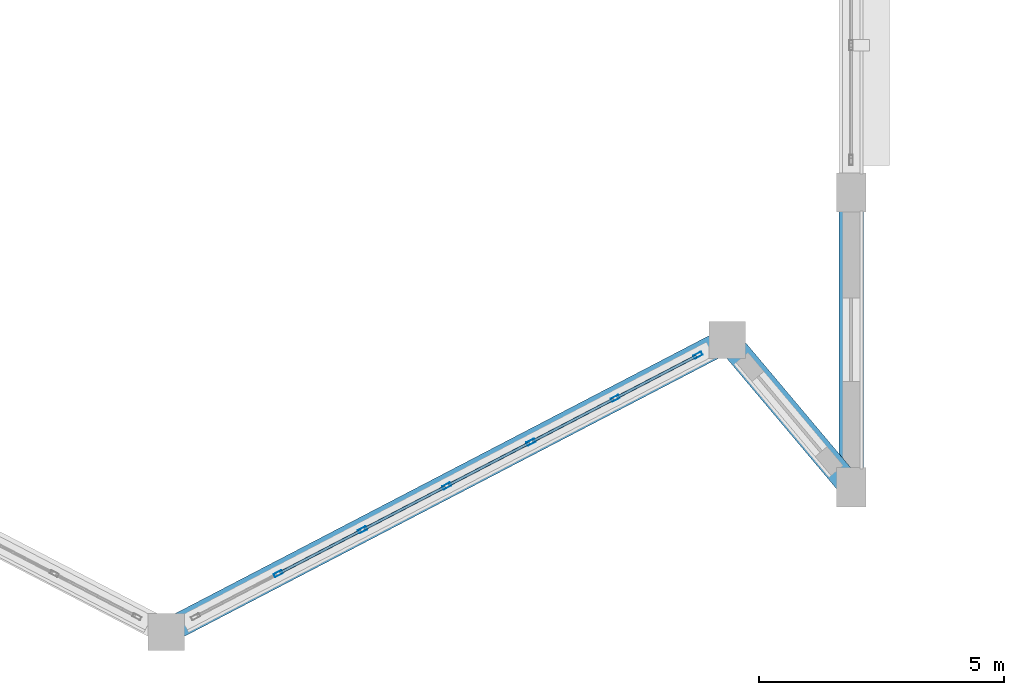
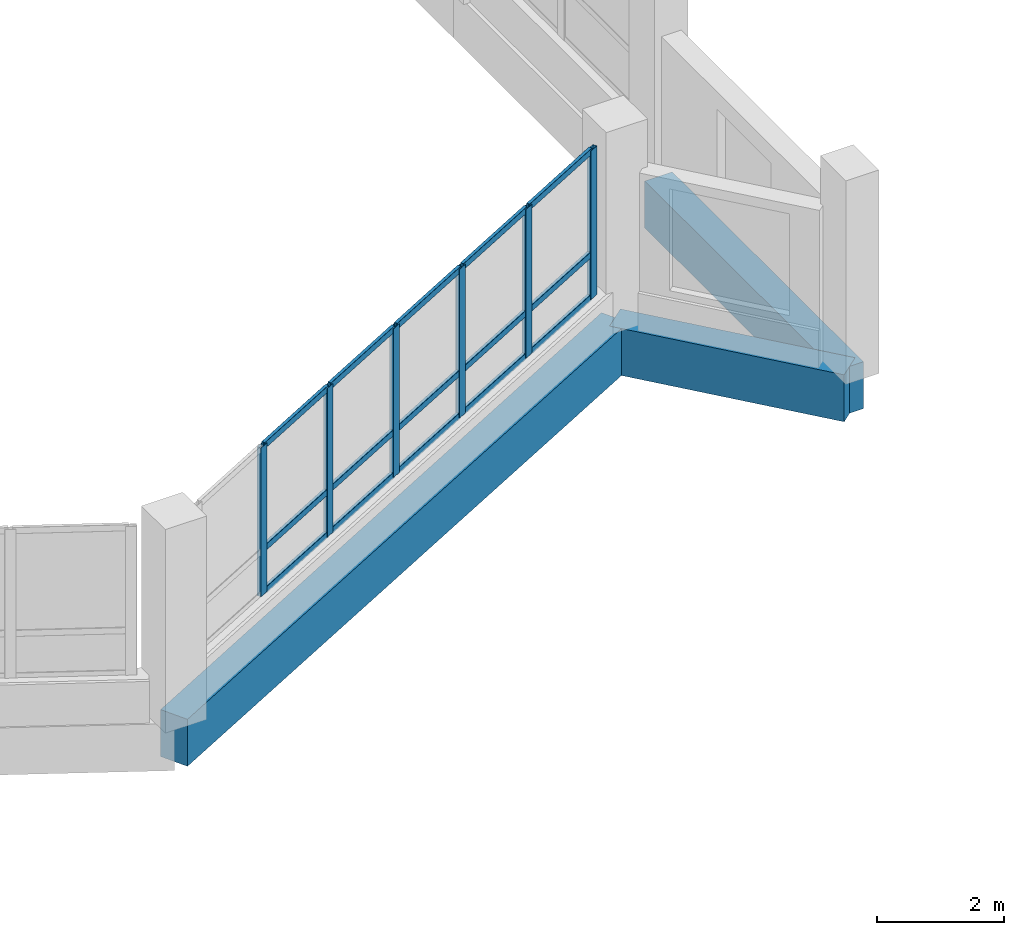
# One storey, part 6 of 121: 21 members, 3 beams, 1 element without a shape of its own.
"""IFC4 building model written with IfcOpenShell, lengths in metres."""

from ifc_helpers import new_model, si_unit, direction, frame, origin, origin_2d, place, context, subcontext, project, spatial, rectangle, hollow_rectangle, extrude, material, layer, layer_set, material_profile, profile_set, type_object, element, aggregate, save


model = new_model("IFC4")

# Units and contexts
model_context = context("Model", 3, precision=1e-05, world=origin(), true_north=direction((0.0, 1.0)))
body_context = subcontext(model_context, "Body", "Model", "MODEL_VIEW")
ifc_project = project(units=[si_unit("LENGTHUNIT", "METRE"), si_unit("AREAUNIT", "SQUARE_METRE"), si_unit("VOLUMEUNIT", "CUBIC_METRE"), si_unit("PLANEANGLEUNIT", "RADIAN"), si_unit("MASSUNIT", "GRAM", prefix="KILO")], contexts=[model_context])

# Site, building, storey
site_placement = place(None, origin())
site = spatial("IfcSite", under=ifc_project, at=site_placement, CompositionType="ELEMENT")
building_placement = place(site_placement, origin())
building = spatial("IfcBuilding", under=site, at=building_placement, Name="Vespera Passage Community Centre", CompositionType="ELEMENT")
storey_placement = place(building_placement, frame((0.0, 0.0, 8.699951171875)))
storey = spatial("IfcBuildingStorey", under=building, at=storey_placement, Name="L02", CompositionType="ELEMENT", Elevation=8.699951171875)

# Beams
ifc_material_1 = material(Name="Concrete f'c 45 MPa", Category="concrete")
ifc_material_profile_1 = material_profile(ifc_material_1, rectangle(XDim=0.5, YDim=0.89990234375, at=origin_2d()), Name="RC500X900")
ifc_profile_set_1 = profile_set([ifc_material_profile_1], Name="Concrete f'c 45 MPa")
beam_type = type_object("IfcBeamType", Name="BM-SP-500X900E", PredefinedType="SPANDREL", material=ifc_profile_set_1)
beam_1_placement = place(storey_placement, frame((31.949951171875, 7.0, -0.449951171875), z_axis=(0.0, 1.0, 0.0), x_axis=(-1.0, 0.0, 0.0)))
element("IfcBeam", 1, at=beam_1_placement, inside=storey, type_object=beam_type, Name="V1 L02 Spandrel E1", PredefinedType="SPANDREL", context=body_context, shape_type="SweptSolid", body=[
    extrude(rectangle(XDim=0.5, YDim=0.89990234375, at=origin_2d()), origin(), (0.0, 0.0, 1.0), 6.0),
])
beam_2_placement = place(storey_placement, frame((18.0, 4.050048828125, -0.449951171875), z_axis=(0.887015966554, 0.461738751978, 0.0), x_axis=(-0.461738751978, 0.887015966554, 0.0)))
element("IfcBeam", 2, at=beam_2_placement, inside=storey, type_object=beam_type, Name="V1 L02 S Apse Spandrel 3", PredefinedType="SPANDREL", context=body_context, shape_type="SweptSolid", body=[
    extrude(rectangle(XDim=0.5, YDim=0.89990234375, at=origin_2d()), origin(), (0.0, 0.0, 1.0), 12.8828125),
])
beam_3_placement = place(storey_placement, frame((29.42724609375, 9.99853515625, -0.449951171875), z_axis=(0.643780739075, -0.765210010386, 0.0), x_axis=(0.765210010386, 0.643780739075, 0.0)))
element("IfcBeam", 3, at=beam_3_placement, inside=storey, type_object=beam_type, Name="V1 L02 S Apse Spandrel 4", PredefinedType="SPANDREL", context=body_context, shape_type="SweptSolid", body=[
    extrude(rectangle(XDim=0.5, YDim=0.89990234375, at=origin_2d()), origin(), (0.0, 0.0, 1.0), 3.91845703125),
])

# Curtain wall, members
ifc_material_2 = material(Name="Anodized aluminium 6063-T6", Category="aluminium")
ifc_layer = layer(ifc_material_2, 0.159912109375)
ifc_layer_set = layer_set([ifc_layer], Name="Anodized aluminium 6063-T6")
curtain_wall_type = type_object("IfcCurtainWallType", Name="CW-87E", PredefinedType="NOTDEFINED", material=ifc_layer_set)
curtain_wall_placement = place(storey_placement, origin())
curtain_wall = element("IfcCurtainWall", 4, at=curtain_wall_placement, inside=storey, type_object=curtain_wall_type, Name="V1 L02 S Apse Ribbon Curtain Wall 2", PredefinedType="NOTDEFINED")
ifc_material_3 = material(Name="Anodized aluminium 6063-T6", Category="aluminium")
ifc_material_profile_2 = material_profile(ifc_material_3, hollow_rectangle(XDim=0.074951171875, YDim=0.179931640625, WallThickness=0.0048828125, InnerFilletRadius=0.00244140625, OuterFilletRadius=0.0048828125, at=origin_2d()), Name="ALU180X75X5")
ifc_profile_set_2 = profile_set([ifc_material_profile_2], Name="Anodized aluminium 6063-T6")
member_type_1 = type_object("IfcMemberType", Name="MB-CWM-180E", PredefinedType="MULLION", material=ifc_profile_set_2)
member_1_placement = place(storey_placement, frame((28.828125, 9.686767578125, 0.800048828125), z_axis=(0.0, 0.0, 1.0), x_axis=(0.46174493668, -0.887012747062, 0.0)))
member_1 = element("IfcMember", 5, at=member_1_placement, type_object=member_type_1, Name="CW-87E mullion 1", PredefinedType="MULLION", context=body_context, shape_type="SweptSolid", body=[
    extrude(hollow_rectangle(XDim=0.074951171875, YDim=0.179931640625, WallThickness=0.0048828125, InnerFilletRadius=0.00244140625, OuterFilletRadius=0.0048828125, at=origin_2d()), origin(), (0.0, 0.0, 1.0), 2.85009765625),
])
member_2_placement = place(storey_placement, frame((27.1455078125, 8.810791015625, 0.800048828125), z_axis=(0.0, 0.0, 1.0), x_axis=(0.46174493668, -0.887012747062, 0.0)))
member_2 = element("IfcMember", 6, at=member_2_placement, type_object=member_type_1, Name="CW-87E mullion 2", PredefinedType="MULLION", context=body_context, shape_type="SweptSolid", body=[
    extrude(hollow_rectangle(XDim=0.074951171875, YDim=0.179931640625, WallThickness=0.0048828125, InnerFilletRadius=0.00244140625, OuterFilletRadius=0.0048828125, at=origin_2d()), origin(), (0.0, 0.0, 1.0), 2.85009765625),
])
member_3_placement = place(storey_placement, frame((25.4296875, 7.91748046875, 0.800048828125), z_axis=(0.0, 0.0, 1.0), x_axis=(0.46174493668, -0.887012747062, 0.0)))
member_3 = element("IfcMember", 7, at=member_3_placement, type_object=member_type_1, Name="CW-87E mullion 3", PredefinedType="MULLION", context=body_context, shape_type="SweptSolid", body=[
    extrude(hollow_rectangle(XDim=0.074951171875, YDim=0.179931640625, WallThickness=0.0048828125, InnerFilletRadius=0.00244140625, OuterFilletRadius=0.0048828125, at=origin_2d()), origin(), (0.0, 0.0, 1.0), 2.85009765625),
])
member_4_placement = place(storey_placement, frame((23.713623046875, 7.0244140625, 0.800048828125), z_axis=(0.0, 0.0, 1.0), x_axis=(0.46174493668, -0.887012747062, 0.0)))
member_4 = element("IfcMember", 8, at=member_4_placement, type_object=member_type_1, Name="CW-87E mullion 4", PredefinedType="MULLION", context=body_context, shape_type="SweptSolid", body=[
    extrude(hollow_rectangle(XDim=0.074951171875, YDim=0.179931640625, WallThickness=0.0048828125, InnerFilletRadius=0.00244140625, OuterFilletRadius=0.0048828125, at=origin_2d()), origin(), (0.0, 0.0, 1.0), 2.85009765625),
])
member_5_placement = place(storey_placement, frame((21.99755859375, 6.131103515625, 0.800048828125), z_axis=(0.0, 0.0, 1.0), x_axis=(0.46174493668, -0.887012747062, 0.0)))
member_5 = element("IfcMember", 9, at=member_5_placement, type_object=member_type_1, Name="CW-87E mullion 5", PredefinedType="MULLION", context=body_context, shape_type="SweptSolid", body=[
    extrude(hollow_rectangle(XDim=0.074951171875, YDim=0.179931640625, WallThickness=0.0048828125, InnerFilletRadius=0.00244140625, OuterFilletRadius=0.0048828125, at=origin_2d()), origin(), (0.0, 0.0, 1.0), 2.85009765625),
])
member_6_placement = place(storey_placement, frame((20.28173828125, 5.23779296875, 0.800048828125), z_axis=(0.0, 0.0, 1.0), x_axis=(0.46174493668, -0.887012747062, 0.0)))
member_6 = element("IfcMember", 10, at=member_6_placement, type_object=member_type_1, Name="CW-87E mullion 6", PredefinedType="MULLION", context=body_context, shape_type="SweptSolid", body=[
    extrude(hollow_rectangle(XDim=0.074951171875, YDim=0.179931640625, WallThickness=0.0048828125, InnerFilletRadius=0.00244140625, OuterFilletRadius=0.0048828125, at=origin_2d()), origin(), (0.0, 0.0, 1.0), 2.85009765625),
])
ifc_material_4 = material(Name="Anodized aluminium 6063-T6", Category="aluminium")
ifc_material_profile_3 = material_profile(ifc_material_4, hollow_rectangle(XDim=0.06005859375, YDim=0.1201171875, WallThickness=0.00390625, InnerFilletRadius=0.001953125, OuterFilletRadius=0.00390625, at=origin_2d()), Name="ALU120X60X4")
ifc_profile_set_3 = profile_set([ifc_material_profile_3], Name="Anodized aluminium 6063-T6")
member_type_2 = type_object("IfcMemberType", Name="MB-CWT-120E", PredefinedType="USERDEFINED", material=ifc_profile_set_3)
member_7_placement = place(storey_placement, frame((28.794921875, 9.66943359375, 0.830078125), z_axis=(-0.887019277583, -0.461732391322, 0.0), x_axis=(0.461732391322, -0.887019277583, 0.0)))
member_7 = element("IfcMember", 11, at=member_7_placement, type_object=member_type_2, Name="CW-87E transom 1.1", ObjectType="TRANSOM", PredefinedType="USERDEFINED", context=body_context, shape_type="SweptSolid", body=[
    extrude(hollow_rectangle(XDim=0.06005859375, YDim=0.1201171875, WallThickness=0.00390625, InnerFilletRadius=0.001953125, OuterFilletRadius=0.00390625, at=origin_2d()), origin(), (0.0, 0.0, 1.0), 1.822021484375),
])
member_8_placement = place(storey_placement, frame((28.794921875, 9.66943359375, 1.650146484375), z_axis=(-0.887019277583, -0.461732391322, 0.0), x_axis=(0.461732391322, -0.887019277583, 0.0)))
member_8 = element("IfcMember", 12, at=member_8_placement, type_object=member_type_2, Name="CW-87E transom 1.2", ObjectType="TRANSOM", PredefinedType="USERDEFINED", context=body_context, shape_type="SweptSolid", body=[
    extrude(hollow_rectangle(XDim=0.06005859375, YDim=0.1201171875, WallThickness=0.00390625, InnerFilletRadius=0.001953125, OuterFilletRadius=0.00390625, at=origin_2d()), origin(), (0.0, 0.0, 1.0), 1.822021484375),
])
member_9_placement = place(storey_placement, frame((28.794921875, 9.66943359375, 3.6201171875), z_axis=(-0.887019277583, -0.461732391322, 0.0), x_axis=(0.461732391322, -0.887019277583, 0.0)))
member_9 = element("IfcMember", 13, at=member_9_placement, type_object=member_type_2, Name="CW-87E transom 1.3", ObjectType="TRANSOM", PredefinedType="USERDEFINED", context=body_context, shape_type="SweptSolid", body=[
    extrude(hollow_rectangle(XDim=0.06005859375, YDim=0.1201171875, WallThickness=0.00390625, InnerFilletRadius=0.001953125, OuterFilletRadius=0.00390625, at=origin_2d()), origin(), (0.0, 0.0, 1.0), 1.822021484375),
])
member_10_placement = place(storey_placement, frame((27.1123046875, 8.79345703125, 0.830078125), z_axis=(-0.887008197889, -0.461753675544, 0.0), x_axis=(0.461753675544, -0.887008197889, 0.0)))
member_10 = element("IfcMember", 14, at=member_10_placement, type_object=member_type_2, Name="CW-87E transom 2.1", ObjectType="TRANSOM", PredefinedType="USERDEFINED", context=body_context, shape_type="SweptSolid", body=[
    extrude(hollow_rectangle(XDim=0.06005859375, YDim=0.1201171875, WallThickness=0.00390625, InnerFilletRadius=0.001953125, OuterFilletRadius=0.00390625, at=origin_2d()), origin(), (0.0, 0.0, 1.0), 1.859619140625),
])
member_11_placement = place(storey_placement, frame((27.1123046875, 8.79345703125, 1.650146484375), z_axis=(-0.887008197889, -0.461753675544, 0.0), x_axis=(0.461753675544, -0.887008197889, 0.0)))
member_11 = element("IfcMember", 15, at=member_11_placement, type_object=member_type_2, Name="CW-87E transom 2.2", ObjectType="TRANSOM", PredefinedType="USERDEFINED", context=body_context, shape_type="SweptSolid", body=[
    extrude(hollow_rectangle(XDim=0.06005859375, YDim=0.1201171875, WallThickness=0.00390625, InnerFilletRadius=0.001953125, OuterFilletRadius=0.00390625, at=origin_2d()), origin(), (0.0, 0.0, 1.0), 1.859619140625),
])
member_12_placement = place(storey_placement, frame((27.1123046875, 8.79345703125, 3.6201171875), z_axis=(-0.887008197889, -0.461753675544, 0.0), x_axis=(0.461753675544, -0.887008197889, 0.0)))
member_12 = element("IfcMember", 16, at=member_12_placement, type_object=member_type_2, Name="CW-87E transom 2.3", ObjectType="TRANSOM", PredefinedType="USERDEFINED", context=body_context, shape_type="SweptSolid", body=[
    extrude(hollow_rectangle(XDim=0.06005859375, YDim=0.1201171875, WallThickness=0.00390625, InnerFilletRadius=0.001953125, OuterFilletRadius=0.00390625, at=origin_2d()), origin(), (0.0, 0.0, 1.0), 1.859619140625),
])
member_13_placement = place(storey_placement, frame((25.396240234375, 7.900146484375, 0.830078125), z_axis=(-0.887008197889, -0.461753675544, 0.0), x_axis=(0.461753675544, -0.887008197889, 0.0)))
member_13 = element("IfcMember", 17, at=member_13_placement, type_object=member_type_2, Name="CW-87E transom 3.1", ObjectType="TRANSOM", PredefinedType="USERDEFINED", context=body_context, shape_type="SweptSolid", body=[
    extrude(hollow_rectangle(XDim=0.06005859375, YDim=0.1201171875, WallThickness=0.00390625, InnerFilletRadius=0.001953125, OuterFilletRadius=0.00390625, at=origin_2d()), origin(), (0.0, 0.0, 1.0), 1.859619140625),
])
member_14_placement = place(storey_placement, frame((25.396240234375, 7.900146484375, 1.650146484375), z_axis=(-0.887008197889, -0.461753675544, 0.0), x_axis=(0.461753675544, -0.887008197889, 0.0)))
member_14 = element("IfcMember", 18, at=member_14_placement, type_object=member_type_2, Name="CW-87E transom 3.2", ObjectType="TRANSOM", PredefinedType="USERDEFINED", context=body_context, shape_type="SweptSolid", body=[
    extrude(hollow_rectangle(XDim=0.06005859375, YDim=0.1201171875, WallThickness=0.00390625, InnerFilletRadius=0.001953125, OuterFilletRadius=0.00390625, at=origin_2d()), origin(), (0.0, 0.0, 1.0), 1.859619140625),
])
member_15_placement = place(storey_placement, frame((25.396240234375, 7.900146484375, 3.6201171875), z_axis=(-0.887008197889, -0.461753675544, 0.0), x_axis=(0.461753675544, -0.887008197889, 0.0)))
member_15 = element("IfcMember", 19, at=member_15_placement, type_object=member_type_2, Name="CW-87E transom 3.3", ObjectType="TRANSOM", PredefinedType="USERDEFINED", context=body_context, shape_type="SweptSolid", body=[
    extrude(hollow_rectangle(XDim=0.06005859375, YDim=0.1201171875, WallThickness=0.00390625, InnerFilletRadius=0.001953125, OuterFilletRadius=0.00390625, at=origin_2d()), origin(), (0.0, 0.0, 1.0), 1.859619140625),
])
member_16_placement = place(storey_placement, frame((23.680419921875, 7.007080078125, 0.830078125), z_axis=(-0.887008197889, -0.461753675544, 0.0), x_axis=(0.461753675544, -0.887008197889, 0.0)))
member_16 = element("IfcMember", 20, at=member_16_placement, type_object=member_type_2, Name="CW-87E transom 4.1", ObjectType="TRANSOM", PredefinedType="USERDEFINED", context=body_context, shape_type="SweptSolid", body=[
    extrude(hollow_rectangle(XDim=0.06005859375, YDim=0.1201171875, WallThickness=0.00390625, InnerFilletRadius=0.001953125, OuterFilletRadius=0.00390625, at=origin_2d()), origin(), (0.0, 0.0, 1.0), 1.859619140625),
])
member_17_placement = place(storey_placement, frame((23.680419921875, 7.007080078125, 1.650146484375), z_axis=(-0.887008197889, -0.461753675544, 0.0), x_axis=(0.461753675544, -0.887008197889, 0.0)))
member_17 = element("IfcMember", 21, at=member_17_placement, type_object=member_type_2, Name="CW-87E transom 4.2", ObjectType="TRANSOM", PredefinedType="USERDEFINED", context=body_context, shape_type="SweptSolid", body=[
    extrude(hollow_rectangle(XDim=0.06005859375, YDim=0.1201171875, WallThickness=0.00390625, InnerFilletRadius=0.001953125, OuterFilletRadius=0.00390625, at=origin_2d()), origin(), (0.0, 0.0, 1.0), 1.859619140625),
])
member_18_placement = place(storey_placement, frame((23.680419921875, 7.007080078125, 3.6201171875), z_axis=(-0.887008197889, -0.461753675544, 0.0), x_axis=(0.461753675544, -0.887008197889, 0.0)))
member_18 = element("IfcMember", 22, at=member_18_placement, type_object=member_type_2, Name="CW-87E transom 4.3", ObjectType="TRANSOM", PredefinedType="USERDEFINED", context=body_context, shape_type="SweptSolid", body=[
    extrude(hollow_rectangle(XDim=0.06005859375, YDim=0.1201171875, WallThickness=0.00390625, InnerFilletRadius=0.001953125, OuterFilletRadius=0.00390625, at=origin_2d()), origin(), (0.0, 0.0, 1.0), 1.859619140625),
])
member_19_placement = place(storey_placement, frame((21.96435546875, 6.11376953125, 0.830078125), z_axis=(-0.887008197889, -0.461753675544, 0.0), x_axis=(0.461753675544, -0.887008197889, 0.0)))
member_19 = element("IfcMember", 23, at=member_19_placement, type_object=member_type_2, Name="CW-87E transom 5.1", ObjectType="TRANSOM", PredefinedType="USERDEFINED", context=body_context, shape_type="SweptSolid", body=[
    extrude(hollow_rectangle(XDim=0.06005859375, YDim=0.1201171875, WallThickness=0.00390625, InnerFilletRadius=0.001953125, OuterFilletRadius=0.00390625, at=origin_2d()), origin(), (0.0, 0.0, 1.0), 1.859619140625),
])
member_20_placement = place(storey_placement, frame((21.96435546875, 6.11376953125, 1.650146484375), z_axis=(-0.887008197889, -0.461753675544, 0.0), x_axis=(0.461753675544, -0.887008197889, 0.0)))
member_20 = element("IfcMember", 24, at=member_20_placement, type_object=member_type_2, Name="CW-87E transom 5.2", ObjectType="TRANSOM", PredefinedType="USERDEFINED", context=body_context, shape_type="SweptSolid", body=[
    extrude(hollow_rectangle(XDim=0.06005859375, YDim=0.1201171875, WallThickness=0.00390625, InnerFilletRadius=0.001953125, OuterFilletRadius=0.00390625, at=origin_2d()), origin(), (0.0, 0.0, 1.0), 1.859619140625),
])
member_21_placement = place(storey_placement, frame((21.96435546875, 6.11376953125, 3.6201171875), z_axis=(-0.887008197889, -0.461753675544, 0.0), x_axis=(0.461753675544, -0.887008197889, 0.0)))
member_21 = element("IfcMember", 25, at=member_21_placement, type_object=member_type_2, Name="CW-87E transom 5.3", ObjectType="TRANSOM", PredefinedType="USERDEFINED", context=body_context, shape_type="SweptSolid", body=[
    extrude(hollow_rectangle(XDim=0.06005859375, YDim=0.1201171875, WallThickness=0.00390625, InnerFilletRadius=0.001953125, OuterFilletRadius=0.00390625, at=origin_2d()), origin(), (0.0, 0.0, 1.0), 1.859619140625),
])
aggregate(curtain_wall, [member_1, member_2, member_3, member_4, member_5, member_6, member_7, member_8, member_9, member_10, member_11, member_12, member_13, member_14, member_15, member_16, member_17, member_18, member_19, member_20, member_21])

save(model, "model.ifc")
